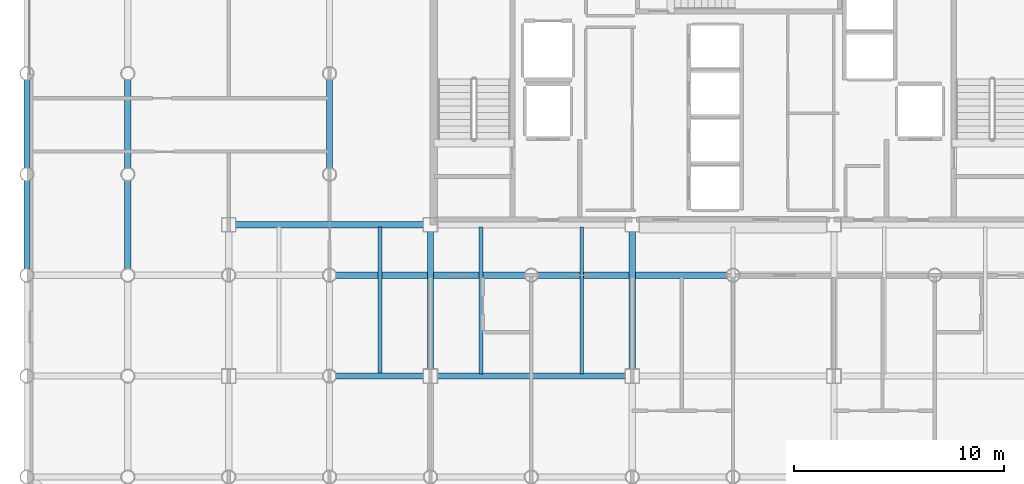
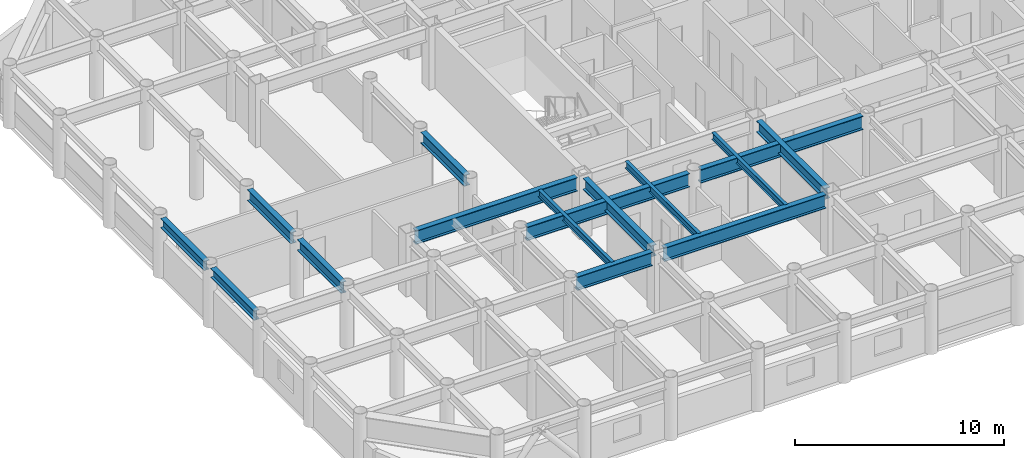
# One storey, part 3 of 20: 15 beams.
"""IFC4 building model written with IfcOpenShell, lengths in metres."""

from ifc_helpers import new_model, si_unit, direction, frame, origin, origin_2d, place, context, subcontext, project, spatial, i_section, extrude, material, material_profile, profile_set, type_object, element, save


model = new_model("IFC4")

# Units and contexts
model_context = context("Model", 3, precision=1e-05, world=origin(), true_north=direction((0.0, 1.0)))
body_context = subcontext(model_context, "Body", "Model", "MODEL_VIEW")
ifc_project = project(units=[si_unit("LENGTHUNIT", "METRE"), si_unit("AREAUNIT", "SQUARE_METRE"), si_unit("VOLUMEUNIT", "CUBIC_METRE"), si_unit("PLANEANGLEUNIT", "RADIAN"), si_unit("MASSUNIT", "GRAM", prefix="KILO")], contexts=[model_context])

# Site, building, storey
site_placement = place(None, origin())
site = spatial("IfcSite", under=ifc_project, at=site_placement, CompositionType="ELEMENT")
building_placement = place(site_placement, origin())
building = spatial("IfcBuilding", under=site, at=building_placement, Name="Kallvorn Hotel Tower", CompositionType="ELEMENT")
storey_placement = place(building_placement, frame((0.0, 0.0, 161.800048828125)))
storey = spatial("IfcBuildingStorey", under=building, at=storey_placement, Name="L40", CompositionType="ELEMENT", Elevation=161.800048828125)

# Beams
ifc_material_1 = material(Name="Structural steel S355JR", Category="steel")
ifc_material_profile_1 = material_profile(ifc_material_1, i_section(OverallWidth=0.300048828125, OverallDepth=0.550048828125, WebThickness=0.014892578125, FlangeThickness=0.029052734375, at=origin_2d()), Name="HE 550 B")
ifc_profile_set_1 = profile_set([ifc_material_profile_1], Name="Structural steel S355JR")
beam_type_1 = type_object("IfcBeamType", Name="BM_HE550B", PredefinedType="SPANDREL", material=ifc_profile_set_1)
for number, where, z_axis, x_axis, name in (
    (1, (-33.60009765625, -9.280029296875, 3.244873046875), (0.0, 1.0, 0.0), (-1.0, 0.0, 0.0), "L41 Perimeter Spandrel 176"),
    (2, (-33.60009765625, -4.47998046875, 3.244873046875), (0.0, 1.0, 0.0), (-1.0, 0.0, 0.0), "L41 Perimeter Spandrel 177"),
):
    element("IfcBeam", number, at=place(storey_placement, frame(where, z_axis=z_axis, x_axis=x_axis)), inside=storey, type_object=beam_type_1, Name=name, PredefinedType="SPANDREL", context=body_context, shape_type="SweptSolid", body=[
        extrude(i_section(OverallWidth=0.300048828125, OverallDepth=0.550048828125, WebThickness=0.014892578125, FlangeThickness=0.029052734375, at=origin_2d()), origin(), (0.0, 0.0, 1.0), 4.159912109375),
    ])
ifc_material_2 = material(Name="Structural steel S355JR", Category="steel")
ifc_material_profile_2 = material_profile(ifc_material_2, i_section(OverallWidth=0.300048828125, OverallDepth=0.64990234375, WebThickness=0.01611328125, FlangeThickness=0.031005859375, at=origin_2d()), Name="HE 650 B")
ifc_profile_set_2 = profile_set([ifc_material_profile_2], Name="Structural steel S355JR")
beam_type_2 = type_object("IfcBeamType", Name="BM_HE650B", PredefinedType="BEAM", material=ifc_profile_set_2)
beam_1_placement = place(storey_placement, frame((-28.800048828125, -9.294921875, 3.195068359375), z_axis=(0.0, 1.0, 0.0), x_axis=(-1.0, 0.0, 0.0)))
element("IfcBeam", 3, at=beam_1_placement, inside=storey, type_object=beam_type_2, Name="L41 Primary Y-Girder 76", PredefinedType="BEAM", context=body_context, shape_type="SweptSolid", body=[
    extrude(i_section(OverallWidth=0.300048828125, OverallDepth=0.64990234375, WebThickness=0.01611328125, FlangeThickness=0.031005859375, at=origin_2d()), origin(), (0.0, 0.0, 1.0), 4.18994140625),
])
for number, where, z_axis, x_axis, name in (
    (4, (-28.800048828125, -4.4951171875, 3.195068359375), (0.0, 1.0, 0.0), (-1.0, 0.0, 0.0), "L41 Primary Y-Girder 77"),
    (5, (-19.199951171875, -4.4951171875, 3.195068359375), (0.0, 1.0, 0.0), (-1.0, 0.0, 0.0), "L41 Primary Y-Girder 93"),
):
    element("IfcBeam", number, at=place(storey_placement, frame(where, z_axis=z_axis, x_axis=x_axis)), inside=storey, type_object=beam_type_2, Name=name, PredefinedType="BEAM", context=body_context, shape_type="SweptSolid", body=[
        extrude(i_section(OverallWidth=0.300048828125, OverallDepth=0.64990234375, WebThickness=0.01611328125, FlangeThickness=0.031005859375, at=origin_2d()), origin(), (0.0, 0.0, 1.0), 4.190185546875),
    ])
for number, where, z_axis, x_axis, name in (
    (6, (-14.39990234375, -14.074951171875, 3.195068359375), (0.0, 1.0, 0.0), (-1.0, 0.0, 0.0), "L41 Primary Y-Girder 100"),
    (7, (-4.800048828125, -14.074951171875, 3.195068359375), (0.0, 1.0, 0.0), (-1.0, 0.0, 0.0), "L41 Primary Y-Girder 108"),
):
    element("IfcBeam", number, at=place(storey_placement, frame(where, z_axis=z_axis, x_axis=x_axis)), inside=storey, type_object=beam_type_2, Name=name, PredefinedType="BEAM", context=body_context, shape_type="SweptSolid", body=[
        extrude(i_section(OverallWidth=0.300048828125, OverallDepth=0.64990234375, WebThickness=0.01611328125, FlangeThickness=0.031005859375, at=origin_2d()), origin(), (0.0, 0.0, 1.0), 6.550048828125),
    ])
ifc_material_3 = material(Name="Structural steel S355JR", Category="steel")
ifc_material_profile_3 = material_profile(ifc_material_3, i_section(OverallWidth=0.300048828125, OverallDepth=0.800048828125, WebThickness=0.017578125, FlangeThickness=0.032958984375, at=origin_2d()), Name="HE 800 B")
ifc_profile_set_3 = profile_set([ifc_material_profile_3], Name="Structural steel S355JR")
beam_type_3 = type_object("IfcBeamType", Name="BM_HE800B", PredefinedType="BEAM", material=ifc_profile_set_3)
beam_2_placement = place(storey_placement, frame((-18.89501953125, -14.39990234375, 3.119873046875), z_axis=(1.0, 0.0, 0.0), x_axis=(0.0, 1.0, 0.0)))
element("IfcBeam", 8, at=beam_2_placement, inside=storey, type_object=beam_type_3, Name="L41 Primary X-Girder 17", PredefinedType="BEAM", context=body_context, shape_type="SweptSolid", body=[
    extrude(i_section(OverallWidth=0.300048828125, OverallDepth=0.800048828125, WebThickness=0.017578125, FlangeThickness=0.032958984375, at=origin_2d()), origin(), (0.0, 0.0, 1.0), 4.169921875),
])
beam_3_placement = place(storey_placement, frame((-14.074951171875, -14.39990234375, 3.119873046875), z_axis=(1.0, 0.0, 0.0), x_axis=(0.0, 1.0, 0.0)))
element("IfcBeam", 9, at=beam_3_placement, inside=storey, type_object=beam_type_3, Name="L41 Primary X-Girder 18", PredefinedType="BEAM", context=body_context, shape_type="SweptSolid", body=[
    extrude(i_section(OverallWidth=0.300048828125, OverallDepth=0.800048828125, WebThickness=0.017578125, FlangeThickness=0.032958984375, at=origin_2d()), origin(), (0.0, 0.0, 1.0), 8.949951171875),
])
for number, where, z_axis, x_axis, name in (
    (10, (-18.89501953125, -9.60009765625, 3.119873046875), (1.0, 0.0, 0.0), (0.0, 1.0, 0.0), "L41 Primary X-Girder 27"),
    (11, (-9.294921875, -9.60009765625, 3.119873046875), (1.0, 0.0, 0.0), (0.0, 1.0, 0.0), "L41 Primary X-Girder 28"),
):
    element("IfcBeam", number, at=place(storey_placement, frame(where, z_axis=z_axis, x_axis=x_axis)), inside=storey, type_object=beam_type_3, Name=name, PredefinedType="BEAM", context=body_context, shape_type="SweptSolid", body=[
        extrude(i_section(OverallWidth=0.300048828125, OverallDepth=0.800048828125, WebThickness=0.017578125, FlangeThickness=0.032958984375, at=origin_2d()), origin(), (0.0, 0.0, 1.0), 8.989990234375),
    ])
beam_4_placement = place(storey_placement, frame((-23.675048828125, -7.199951171875, 3.119873046875), z_axis=(1.0, 0.0, 0.0), x_axis=(0.0, 1.0, 0.0)))
element("IfcBeam", 12, at=beam_4_placement, inside=storey, type_object=beam_type_3, Name="L41 Primary X-Girder 33", PredefinedType="BEAM", context=body_context, shape_type="SweptSolid", body=[
    extrude(i_section(OverallWidth=0.300048828125, OverallDepth=0.800048828125, WebThickness=0.017578125, FlangeThickness=0.032958984375, at=origin_2d()), origin(), (0.0, 0.0, 1.0), 8.949951171875),
])
ifc_material_4 = material(Name="Structural steel S355JR", Category="steel")
ifc_material_profile_4 = material_profile(ifc_material_4, i_section(OverallWidth=0.179931640625, OverallDepth=0.39990234375, WebThickness=0.008544921875, FlangeThickness=0.013427734375, at=origin_2d()), Name="IPE 400")
ifc_profile_set_4 = profile_set([ifc_material_profile_4], Name="Structural steel S355JR")
beam_type_4 = type_object("IfcBeamType", Name="BM_IPE400", PredefinedType="JOIST", material=ifc_profile_set_4)
for number, where, z_axis, x_axis, name in (
    (13, (-16.800048828125, -14.300048828125, 3.320068359375), (0.0, 1.0, 0.0), (-1.0, 0.0, 0.0), "L41 Secondary Composite Joist 194"),
    (14, (-12.0, -14.300048828125, 3.320068359375), (0.0, 1.0, 0.0), (-1.0, 0.0, 0.0), "L41 Secondary Composite Joist 196"),
    (15, (-7.199951171875, -14.300048828125, 3.320068359375), (0.0, 1.0, 0.0), (-1.0, 0.0, 0.0), "L41 Secondary Composite Joist 198"),
):
    element("IfcBeam", number, at=place(storey_placement, frame(where, z_axis=z_axis, x_axis=x_axis)), inside=storey, type_object=beam_type_4, Name=name, PredefinedType="JOIST", context=body_context, shape_type="SweptSolid", body=[
        extrude(i_section(OverallWidth=0.179931640625, OverallDepth=0.39990234375, WebThickness=0.008544921875, FlangeThickness=0.013427734375, at=origin_2d()), origin(), (0.0, 0.0, 1.0), 7.0),
    ])

save(model, "model.ifc")
